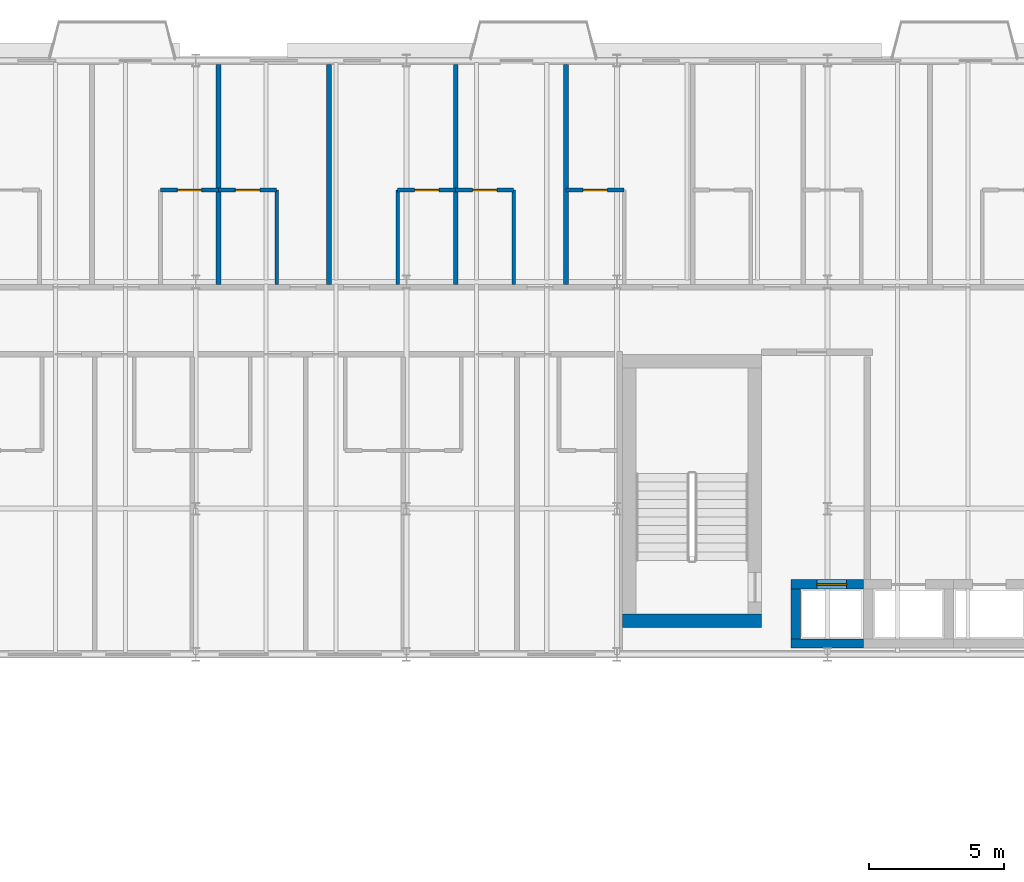
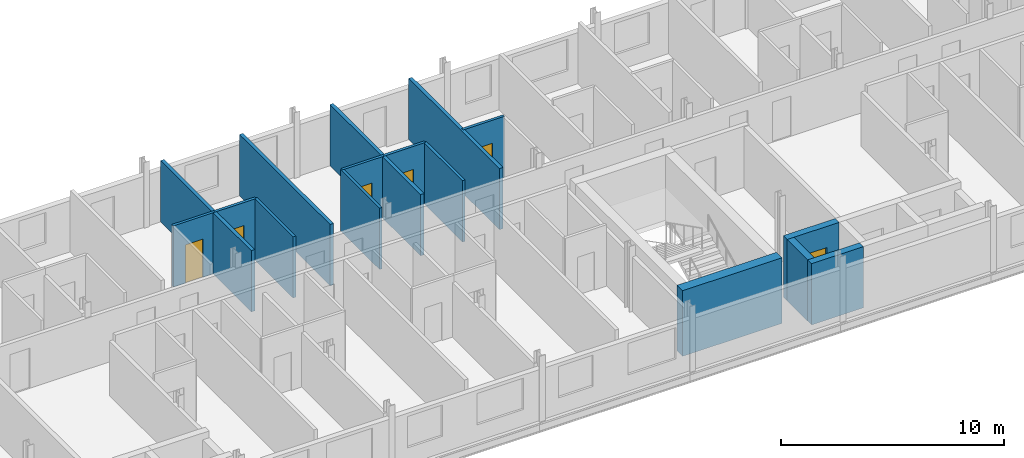
# One storey, part 24 of 36: 16 walls, 6 doors, 6 openings.
"""IFC4 building model written with IfcOpenShell, lengths in metres."""

from ifc_helpers import new_model, si_unit, direction, frame, frame_2d, origin, place, context, subcontext, project, spatial, rectangle, extrude, material, layer, layer_set, type_object, element, fill, save


model = new_model("IFC4")

# Units and contexts
model_context = context("Model", 3, precision=1e-05, world=origin(), true_north=direction((0.0, 1.0)))
body_context = subcontext(model_context, "Body", "Model", "MODEL_VIEW")
ifc_project = project(units=[si_unit("LENGTHUNIT", "METRE"), si_unit("AREAUNIT", "SQUARE_METRE"), si_unit("VOLUMEUNIT", "CUBIC_METRE"), si_unit("PLANEANGLEUNIT", "RADIAN"), si_unit("MASSUNIT", "GRAM", prefix="KILO")], contexts=[model_context])

# Site, building, storey
site_placement = place(None, origin())
site = spatial("IfcSite", under=ifc_project, at=site_placement, CompositionType="ELEMENT")
building_placement = place(site_placement, origin())
building = spatial("IfcBuilding", under=site, at=building_placement, Name="Sefraquen Railside Congress Hotel", CompositionType="ELEMENT")
storey_placement = place(building_placement, frame((0.0, 0.0, 28.199951171875)))
storey = spatial("IfcBuildingStorey", under=building, at=storey_placement, Name="L06", CompositionType="ELEMENT", Elevation=28.199951171875)

# Wall, opening, door
ifc_material_1 = material(Name="Concrete C50/60", Category="concrete")
ifc_layer_1 = layer(ifc_material_1, 0.35009765625)
ifc_layer_set_1 = layer_set([ifc_layer_1], Name="Concrete C50/60")
wall_type_1 = type_object("IfcWallType", Name="TW-CW-350", PredefinedType="SHEAR", material=ifc_layer_set_1)
wall_1_placement = place(storey_placement, frame((70.639892578125, 98.594970703125, 0.0), z_axis=(0.0, 0.0, 1.0), x_axis=(1.0, 0.0, 0.0)))
wall_1 = element("IfcWall", 1, at=wall_1_placement, inside=storey, type_object=wall_type_1, Name="Lift FL-03 shaft wall N L06", PredefinedType="SHEAR", context=body_context, shape_type="SweptSolid", body=[
    extrude(rectangle(XDim=2.690185546875, YDim=0.35009765625, at=frame_2d((1.34521484375, 0.0))), origin(), (0.0, 0.0, 1.0), 3.360107421875),
])
opening_1_placement = place(wall_1_placement, frame((0.969970703125, 0.0, 0.0)))
opening_1 = element("IfcOpeningElement", 2, at=opening_1_placement, cuts=wall_1, Name="Opening LD-01", PredefinedType="OPENING", context=body_context, shape_type="SweptSolid", body=[
    extrude(rectangle(XDim=1.10009765625, YDim=2.199951171875, at=frame_2d((0.550048828125, 1.10009765625))), frame((0.0, 0.18505859375, 0.0), z_axis=(0.0, -1.0, 0.0), x_axis=(1.0, 0.0, 0.0)), (0.0, 0.0, 1.0), 0.3701171875),
])
ifc_material_2 = material(Name="Brushed bronze stainless steel", Category="steel")
door_type_1 = type_object("IfcDoorType", Name="TD-LD-01", OperationType="NOTDEFINED", PredefinedType="DOOR", material=ifc_material_2)
door_1_placement = place(opening_1_placement, origin())
door_1 = element("IfcDoor", 3, at=door_1_placement, inside=storey, type_object=door_type_1, Name="Lift landing door FL-03 L06", OperationType="SLIDING_TO_LEFT", OverallHeight=2.199951171875, OverallWidth=1.10009765625, PredefinedType="DOOR", context=body_context, shape_type="SweptSolid", body=[
    extrude(rectangle(XDim=1.10009765625, YDim=2.199951171875, at=frame_2d((0.550048828125, 1.10009765625))), frame((0.0, 0.02490234375, 0.0), z_axis=(0.0, -1.0, 0.0), x_axis=(1.0, 0.0, 0.0)), (0.0, 0.0, 1.0), 0.050048828125),
])
fill(opening_1, door_1)

# Walls
wall_2_placement = place(storey_placement, frame((70.639892578125, 96.405029296875, 0.0), z_axis=(0.0, 0.0, 1.0), x_axis=(1.0, 0.0, 0.0)))
element("IfcWall", 4, at=wall_2_placement, inside=storey, type_object=wall_type_1, Name="Lift FL-03 shaft wall S L06", PredefinedType="SHEAR", context=body_context, shape_type="SweptSolid", body=[
    extrude(rectangle(XDim=2.690185546875, YDim=0.35009765625, at=frame_2d((1.34521484375, 0.0))), origin(), (0.0, 0.0, 1.0), 3.360107421875),
])
wall_3_placement = place(storey_placement, frame((70.81494140625, 96.580078125, 0.0), z_axis=(0.0, 0.0, 1.0), x_axis=(0.0, 1.0, 0.0)))
element("IfcWall", 5, at=wall_3_placement, inside=storey, type_object=wall_type_1, Name="Lift FL-03 shaft wall W L06", PredefinedType="SHEAR", context=body_context, shape_type="SweptSolid", body=[
    extrude(rectangle(XDim=1.83984375, YDim=0.35009765625, at=frame_2d((0.919921875, 0.0))), origin(), (0.0, 0.0, 1.0), 3.360107421875),
])
ifc_layer_2 = layer(ifc_material_1, 0.5)
ifc_layer_set_2 = layer_set([ifc_layer_2], Name="Concrete C50/60")
wall_type_2 = type_object("IfcWallType", Name="TW-CW-500", PredefinedType="SHEAR", material=ifc_layer_set_2)
wall_4_placement = place(storey_placement, frame((64.39990234375, 97.25, 0.0), z_axis=(0.0, 0.0, 1.0), x_axis=(1.0, 0.0, 0.0)))
element("IfcWall", 6, at=wall_4_placement, inside=storey, type_object=wall_type_2, Name="Core shear wall ST-H03 S L06", PredefinedType="SHEAR", context=body_context, shape_type="SweptSolid", body=[
    extrude(rectangle(XDim=5.16015625, YDim=0.5, at=frame_2d((2.580078125, 0.0))), origin(), (0.0, 0.0, 1.0), 3.60009765625),
])

# Wall, opening, door
ifc_material_3 = material(Name="Moisture-resistant gypsum board", Category="gypsum")
ifc_layer_3 = layer(ifc_material_3, 0.139892578125)
ifc_layer_set_3 = layer_set([ifc_layer_3], Name="Moisture-resistant gypsum board")
wall_type_3 = type_object("IfcWallType", Name="TW-PW-140", PredefinedType="PARTITIONING", material=ifc_layer_set_3)
wall_5_placement = place(storey_placement, frame((47.294921875, 113.199951171875, 0.0), z_axis=(0.0, 0.0, 1.0), x_axis=(1.0, 0.0, 0.0)))
wall_5 = element("IfcWall", 7, at=wall_5_placement, inside=storey, type_object=wall_type_3, Name="En-suite bathroom north wall RM-006", PredefinedType="PARTITIONING", context=body_context, shape_type="SweptSolid", body=[
    extrude(rectangle(XDim=2.150146484375, YDim=0.139892578125, at=frame_2d((1.0751953125, 0.0))), origin(), (0.0, 0.0, 1.0), 3.360107421875),
])
opening_2_placement = place(wall_5_placement, frame((0.625, 0.0, 0.0)))
opening_2 = element("IfcOpeningElement", 8, at=opening_2_placement, cuts=wall_5, Name="Opening ID-02", PredefinedType="OPENING", context=body_context, shape_type="SweptSolid", body=[
    extrude(rectangle(XDim=0.89990234375, YDim=2.10009765625, at=frame_2d((0.449951171875, 1.050048828125))), frame((0.0, 0.079833984375, 0.0), z_axis=(0.0, -1.0, 0.0), x_axis=(1.0, 0.0, 0.0)), (0.0, 0.0, 1.0), 0.159912109375),
])
ifc_material_4 = material(Name="Lacquered cedar joinery", Category="wood")
door_type_2 = type_object("IfcDoorType", Name="TD-ID-02", OperationType="NOTDEFINED", PredefinedType="DOOR", material=ifc_material_4)
door_2_placement = place(opening_2_placement, origin())
door_2 = element("IfcDoor", 9, at=door_2_placement, inside=storey, type_object=door_type_2, Name="En-suite bathroom door RM-006", OperationType="SINGLE_SWING_LEFT", OverallHeight=2.10009765625, OverallWidth=0.89990234375, PredefinedType="DOOR", context=body_context, shape_type="SweptSolid", body=[
    extrude(rectangle(XDim=0.89990234375, YDim=2.10009765625, at=frame_2d((0.449951171875, 1.050048828125))), frame((0.0, 0.02490234375, 0.0), z_axis=(0.0, -1.0, 0.0), x_axis=(1.0, 0.0, 0.0)), (0.0, 0.0, 1.0), 0.050048828125),
])
fill(opening_2, door_2)

# Wall
wall_6_placement = place(storey_placement, frame((51.594970703125, 109.699951171875, 0.0), z_axis=(0.0, 0.0, 1.0), x_axis=(0.0, 1.0, 0.0)))
element("IfcWall", 10, at=wall_6_placement, inside=storey, type_object=wall_type_3, Name="En-suite bathroom east wall RM-007", PredefinedType="PARTITIONING", context=body_context, shape_type="SweptSolid", body=[
    extrude(rectangle(XDim=3.5, YDim=0.139892578125, at=frame_2d((1.75, 0.0))), origin(), (0.0, 0.0, 1.0), 3.360107421875),
])

# Wall, opening, door
wall_7_placement = place(storey_placement, frame((49.445068359375, 113.199951171875, 0.0), z_axis=(0.0, 0.0, 1.0), x_axis=(1.0, 0.0, 0.0)))
wall_7 = element("IfcWall", 11, at=wall_7_placement, inside=storey, type_object=wall_type_3, Name="En-suite bathroom north wall RM-007", PredefinedType="PARTITIONING", context=body_context, shape_type="SweptSolid", body=[
    extrude(rectangle(XDim=2.14990234375, YDim=0.139892578125, at=frame_2d((1.074951171875, 0.0))), origin(), (0.0, 0.0, 1.0), 3.360107421875),
])
opening_3_placement = place(wall_7_placement, frame((0.625, 0.0, 0.0)))
opening_3 = element("IfcOpeningElement", 12, at=opening_3_placement, cuts=wall_7, Name="Opening ID-02", PredefinedType="OPENING", context=body_context, shape_type="SweptSolid", body=[
    extrude(rectangle(XDim=0.89990234375, YDim=2.10009765625, at=frame_2d((0.449951171875, 1.050048828125))), frame((0.0, 0.079833984375, 0.0), z_axis=(0.0, -1.0, 0.0), x_axis=(1.0, 0.0, 0.0)), (0.0, 0.0, 1.0), 0.159912109375),
])
door_3_placement = place(opening_3_placement, origin())
door_3 = element("IfcDoor", 13, at=door_3_placement, inside=storey, type_object=door_type_2, Name="En-suite bathroom door RM-007", OperationType="SINGLE_SWING_LEFT", OverallHeight=2.10009765625, OverallWidth=0.89990234375, PredefinedType="DOOR", context=body_context, shape_type="SweptSolid", body=[
    extrude(rectangle(XDim=0.89990234375, YDim=2.10009765625, at=frame_2d((0.449951171875, 1.050048828125))), frame((0.0, 0.02490234375, 0.0), z_axis=(0.0, -1.0, 0.0), x_axis=(1.0, 0.0, 0.0)), (0.0, 0.0, 1.0), 0.050048828125),
])
fill(opening_3, door_3)

# Wall
wall_8_placement = place(storey_placement, frame((56.076904296875, 109.699951171875, 0.0), z_axis=(0.0, 0.0, 1.0), x_axis=(0.0, 1.0, 0.0)))
element("IfcWall", 14, at=wall_8_placement, inside=storey, type_object=wall_type_3, Name="En-suite bathroom west wall RM-008", PredefinedType="PARTITIONING", context=body_context, shape_type="SweptSolid", body=[
    extrude(rectangle(XDim=3.5, YDim=0.139892578125, at=frame_2d((1.75, 0.0))), origin(), (0.0, 0.0, 1.0), 3.360107421875),
])

# Wall, opening, door
wall_9_placement = place(storey_placement, frame((56.076904296875, 113.199951171875, 0.0), z_axis=(0.0, 0.0, 1.0), x_axis=(1.0, 0.0, 0.0)))
wall_9 = element("IfcWall", 15, at=wall_9_placement, inside=storey, type_object=wall_type_3, Name="En-suite bathroom north wall RM-008", PredefinedType="PARTITIONING", context=body_context, shape_type="SweptSolid", body=[
    extrude(rectangle(XDim=2.150146484375, YDim=0.139892578125, at=frame_2d((1.0751953125, 0.0))), origin(), (0.0, 0.0, 1.0), 3.360107421875),
])
opening_4_placement = place(wall_9_placement, frame((0.625, 0.0, 0.0)))
opening_4 = element("IfcOpeningElement", 16, at=opening_4_placement, cuts=wall_9, Name="Opening ID-02", PredefinedType="OPENING", context=body_context, shape_type="SweptSolid", body=[
    extrude(rectangle(XDim=0.89990234375, YDim=2.10009765625, at=frame_2d((0.449951171875, 1.050048828125))), frame((0.0, 0.079833984375, 0.0), z_axis=(0.0, -1.0, 0.0), x_axis=(1.0, 0.0, 0.0)), (0.0, 0.0, 1.0), 0.159912109375),
])
door_4_placement = place(opening_4_placement, origin())
door_4 = element("IfcDoor", 17, at=door_4_placement, inside=storey, type_object=door_type_2, Name="En-suite bathroom door RM-008", OperationType="SINGLE_SWING_LEFT", OverallHeight=2.10009765625, OverallWidth=0.89990234375, PredefinedType="DOOR", context=body_context, shape_type="SweptSolid", body=[
    extrude(rectangle(XDim=0.89990234375, YDim=2.10009765625, at=frame_2d((0.449951171875, 1.050048828125))), frame((0.0, 0.02490234375, 0.0), z_axis=(0.0, -1.0, 0.0), x_axis=(1.0, 0.0, 0.0)), (0.0, 0.0, 1.0), 0.050048828125),
])
fill(opening_4, door_4)

# Wall
wall_10_placement = place(storey_placement, frame((60.376953125, 109.699951171875, 0.0), z_axis=(0.0, 0.0, 1.0), x_axis=(0.0, 1.0, 0.0)))
element("IfcWall", 18, at=wall_10_placement, inside=storey, type_object=wall_type_3, Name="En-suite bathroom east wall RM-009", PredefinedType="PARTITIONING", context=body_context, shape_type="SweptSolid", body=[
    extrude(rectangle(XDim=3.5, YDim=0.139892578125, at=frame_2d((1.75, 0.0))), origin(), (0.0, 0.0, 1.0), 3.360107421875),
])

# Wall, opening, door
wall_11_placement = place(storey_placement, frame((58.22705078125, 113.199951171875, 0.0), z_axis=(0.0, 0.0, 1.0), x_axis=(1.0, 0.0, 0.0)))
wall_11 = element("IfcWall", 19, at=wall_11_placement, inside=storey, type_object=wall_type_3, Name="En-suite bathroom north wall RM-009", PredefinedType="PARTITIONING", context=body_context, shape_type="SweptSolid", body=[
    extrude(rectangle(XDim=2.14990234375, YDim=0.139892578125, at=frame_2d((1.074951171875, 0.0))), origin(), (0.0, 0.0, 1.0), 3.360107421875),
])
opening_5_placement = place(wall_11_placement, frame((0.625, 0.0, 0.0)))
opening_5 = element("IfcOpeningElement", 20, at=opening_5_placement, cuts=wall_11, Name="Opening ID-02", PredefinedType="OPENING", context=body_context, shape_type="SweptSolid", body=[
    extrude(rectangle(XDim=0.89990234375, YDim=2.10009765625, at=frame_2d((0.449951171875, 1.050048828125))), frame((0.0, 0.079833984375, 0.0), z_axis=(0.0, -1.0, 0.0), x_axis=(1.0, 0.0, 0.0)), (0.0, 0.0, 1.0), 0.159912109375),
])
door_5_placement = place(opening_5_placement, origin())
door_5 = element("IfcDoor", 21, at=door_5_placement, inside=storey, type_object=door_type_2, Name="En-suite bathroom door RM-009", OperationType="SINGLE_SWING_LEFT", OverallHeight=2.10009765625, OverallWidth=0.89990234375, PredefinedType="DOOR", context=body_context, shape_type="SweptSolid", body=[
    extrude(rectangle(XDim=0.89990234375, YDim=2.10009765625, at=frame_2d((0.449951171875, 1.050048828125))), frame((0.0, 0.02490234375, 0.0), z_axis=(0.0, -1.0, 0.0), x_axis=(1.0, 0.0, 0.0)), (0.0, 0.0, 1.0), 0.050048828125),
])
fill(opening_5, door_5)

wall_12_placement = place(storey_placement, frame((62.318115234375, 113.199951171875, 0.0), z_axis=(0.0, 0.0, 1.0), x_axis=(1.0, 0.0, 0.0)))
wall_12 = element("IfcWall", 22, at=wall_12_placement, inside=storey, type_object=wall_type_3, Name="En-suite bathroom north wall RM-010", PredefinedType="PARTITIONING", context=body_context, shape_type="SweptSolid", body=[
    extrude(rectangle(XDim=2.14990234375, YDim=0.139892578125, at=frame_2d((1.074951171875, 0.0))), origin(), (0.0, 0.0, 1.0), 3.360107421875),
])
opening_6_placement = place(wall_12_placement, frame((0.625, 0.0, 0.0)))
opening_6 = element("IfcOpeningElement", 23, at=opening_6_placement, cuts=wall_12, Name="Opening ID-02", PredefinedType="OPENING", context=body_context, shape_type="SweptSolid", body=[
    extrude(rectangle(XDim=0.89990234375, YDim=2.10009765625, at=frame_2d((0.449951171875, 1.050048828125))), frame((0.0, 0.079833984375, 0.0), z_axis=(0.0, -1.0, 0.0), x_axis=(1.0, 0.0, 0.0)), (0.0, 0.0, 1.0), 0.159912109375),
])
door_6_placement = place(opening_6_placement, origin())
door_6 = element("IfcDoor", 24, at=door_6_placement, inside=storey, type_object=door_type_2, Name="En-suite bathroom door RM-010", OperationType="SINGLE_SWING_LEFT", OverallHeight=2.10009765625, OverallWidth=0.89990234375, PredefinedType="DOOR", context=body_context, shape_type="SweptSolid", body=[
    extrude(rectangle(XDim=0.89990234375, YDim=2.10009765625, at=frame_2d((0.449951171875, 1.050048828125))), frame((0.0, 0.02490234375, 0.0), z_axis=(0.0, -1.0, 0.0), x_axis=(1.0, 0.0, 0.0)), (0.0, 0.0, 1.0), 0.050048828125),
])
fill(opening_6, door_6)

# Walls
ifc_material_5 = material(Name="Acoustic gypsum board on metal stud", Category="gypsum")
ifc_layer_4 = layer(ifc_material_5, 0.179931640625)
ifc_layer_set_4 = layer_set([ifc_layer_4], Name="Acoustic gypsum board on metal stud")
wall_type_4 = type_object("IfcWallType", Name="TW-PW-180", PredefinedType="PARTITIONING", material=ifc_layer_set_4)
for number, where, z_axis, x_axis, name in (
    (25, (49.445068359375, 109.699951171875, 0.0), (0.0, 0.0, 1.0), (0.0, 1.0, 0.0), "Guest room demising wall RM-006"),
    (26, (53.535888671875, 109.699951171875, 0.0), (0.0, 0.0, 1.0), (0.0, 1.0, 0.0), "Guest room demising wall RM-007"),
    (27, (58.22705078125, 109.699951171875, 0.0), (0.0, 0.0, 1.0), (0.0, 1.0, 0.0), "Guest room demising wall RM-008"),
    (28, (62.318115234375, 109.699951171875, 0.0), (0.0, 0.0, 1.0), (0.0, 1.0, 0.0), "Guest room demising wall RM-009"),
):
    element("IfcWall", number, at=place(storey_placement, frame(where, z_axis=z_axis, x_axis=x_axis)), inside=storey, type_object=wall_type_4, Name=name, PredefinedType="PARTITIONING", context=body_context, shape_type="SweptSolid", body=[
        extrude(rectangle(XDim=8.150146484375, YDim=0.179931640625, at=frame_2d((4.0751953125, 0.0))), origin(), (0.0, 0.0, 1.0), 3.360107421875),
    ])

save(model, "model.ifc")
